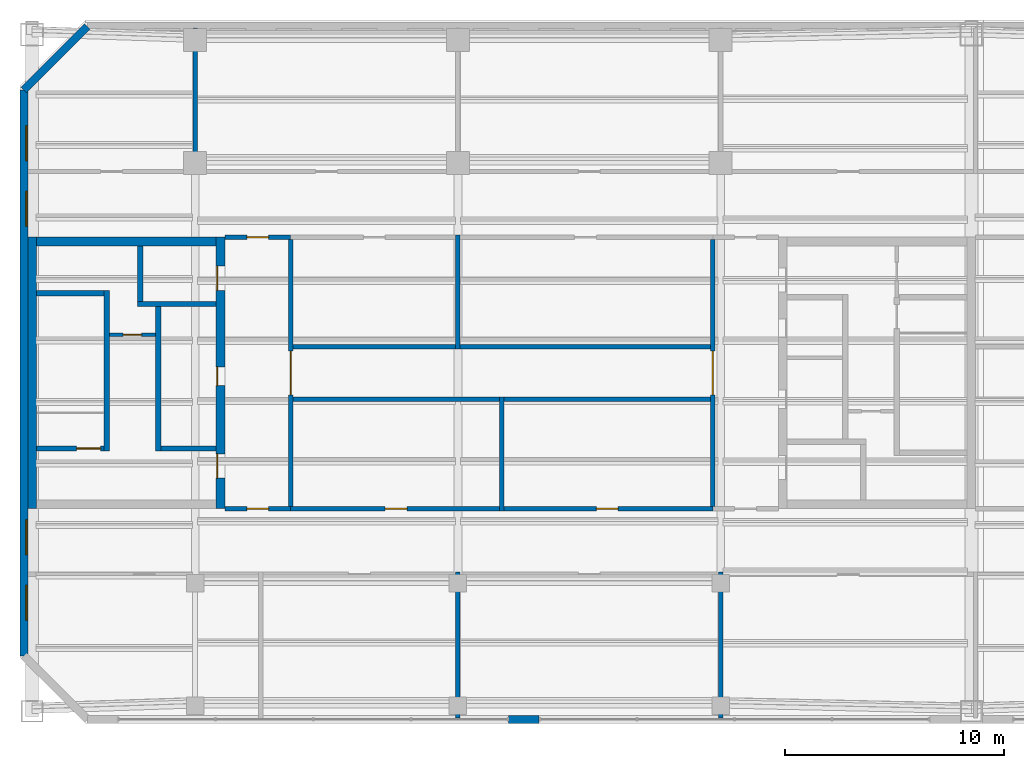
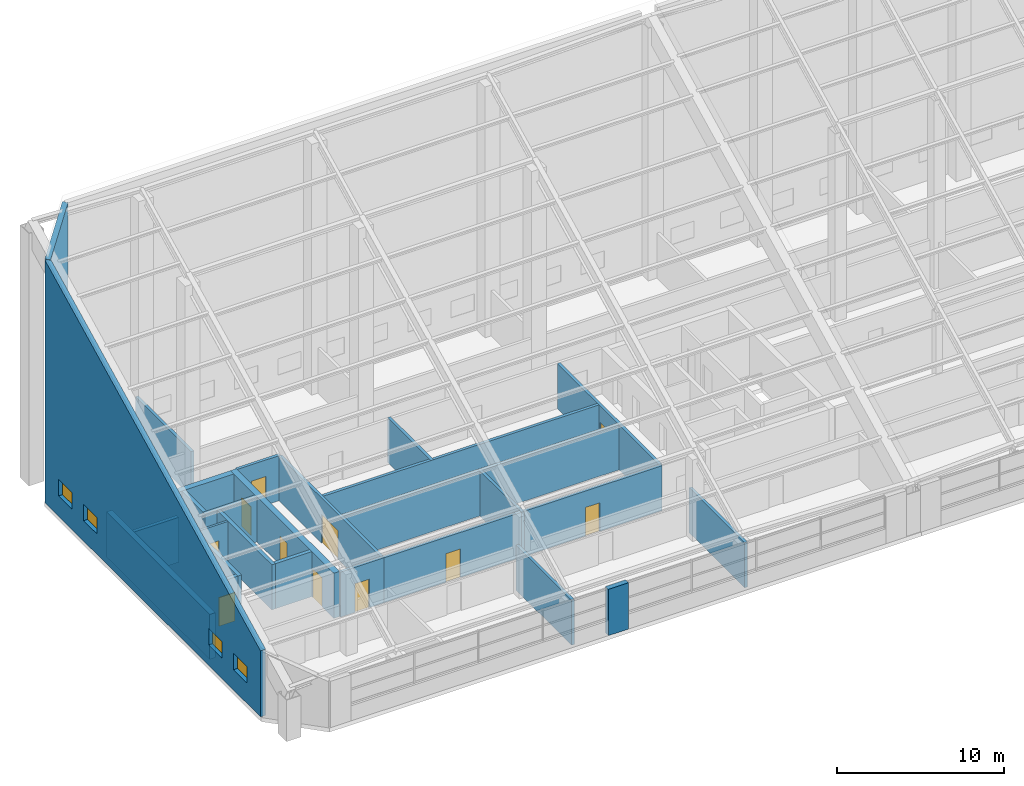
# One storey, part 19 of 28: 26 walls, 11 doors, 4 windows, 15 openings.
"""IFC4 building model written with IfcOpenShell, lengths in metres."""

from ifc_helpers import new_model, si_unit, direction, frame, frame_2d, origin, place, context, subcontext, project, spatial, polyline, rectangle, outline, extrude, material, layer, layer_set, type_object, element, fill, save


model = new_model("IFC4")

# Units and contexts
model_context = context("Model", 3, precision=1e-05, world=origin(), true_north=direction((0.0, 1.0)))
body_context = subcontext(model_context, "Body", "Model", "MODEL_VIEW")
ifc_project = project(units=[si_unit("LENGTHUNIT", "METRE"), si_unit("AREAUNIT", "SQUARE_METRE"), si_unit("VOLUMEUNIT", "CUBIC_METRE"), si_unit("PLANEANGLEUNIT", "RADIAN"), si_unit("MASSUNIT", "GRAM", prefix="KILO")], contexts=[model_context])

# Site, building, storey
site_placement = place(None, origin())
site = spatial("IfcSite", under=ifc_project, at=site_placement, CompositionType="ELEMENT")
building_placement = place(site_placement, origin())
building = spatial("IfcBuilding", under=site, at=building_placement, Name="Tuart Gate Housing", CompositionType="ELEMENT")
storey_placement = place(building_placement, frame((0.0, 0.0, 243.89990234375)))
storey = spatial("IfcBuildingStorey", under=building, at=storey_placement, Name="L68", CompositionType="ELEMENT", Elevation=243.89990234375)

# Walls
ifc_material_1 = material(Name="Brick", Category="masonry")
ifc_layer_1 = layer(ifc_material_1, 0.360107421875)
ifc_layer_set_1 = layer_set([ifc_layer_1], Name="Brick pier and spandrel wall 360")
wall_type_1 = type_object("IfcWallType", Name="Brick pier and spandrel wall 360", PredefinedType="STANDARD", material=ifc_layer_set_1)
wall_1_placement = place(storey_placement, frame((54.312255859375, 54.179931640625, 0.0), z_axis=(0.0, 0.0, 1.0), x_axis=(1.0, 0.0, 0.0)))
element("IfcWall", 1, at=wall_1_placement, inside=storey, type_object=wall_type_1, Name="Crown pier 2", PredefinedType="STANDARD", context=body_context, shape_type="SweptSolid", body=[
    extrude(rectangle(XDim=1.400146484375, YDim=0.360107421875, at=frame_2d((0.7001953125, 0.0))), origin(), (0.0, 0.0, 1.0), 3.39013671875),
])
wall_2_placement = place(storey_placement, frame((35.07470703125, 85.820068359375, 0.0), z_axis=(0.0, 0.0, 1.0), x_axis=(-0.707106781187, -0.707106781187, 0.0)))
element("IfcWall", 2, at=wall_2_placement, inside=storey, type_object=wall_type_1, Name="Crown cladding wall BLK-NW", PredefinedType="STANDARD", context=body_context, shape_type="SweptSolid", body=[
    extrude(outline(polyline([(0.0, 0.0), (4.09375, 0.0), (4.093505859375, 17.7626953125), (0.0, 19.210205078125), (0.0, 0.0)])), frame((0.0, 0.18017578125, 0.0), z_axis=(0.0, -1.0, 0.0), x_axis=(1.0, 0.0, 0.0)), (0.0, 0.0, 1.0), 0.360107421875),
])

# Wall, openings, windows
wall_3_placement = place(storey_placement, frame((32.179931640625, 82.92529296875, 0.0), z_axis=(0.0, 0.0, 1.0), x_axis=(0.0, -1.0, 0.0)))
wall_3 = element("IfcWall", 3, at=wall_3_placement, inside=storey, type_object=wall_type_1, Name="Crown cladding wall BLK-W", PredefinedType="STANDARD", context=body_context, shape_type="SweptSolid", body=[
    extrude(outline(polyline([(0.0, 0.0), (25.850830078125, 0.0), (25.850830078125, 4.83740234375), (0.0, 17.7626953125), (0.0, 0.0)])), frame((0.0, 0.18017578125, 0.0), z_axis=(0.0, -1.0, 0.0), x_axis=(1.0, 0.0, 0.0)), (0.0, 0.0, 1.0), 0.360107421875),
])
opening_1_placement = place(wall_3_placement, frame((22.62548828125, 0.0, 1.5)))
opening_1 = element("IfcOpeningElement", 4, at=opening_1_placement, cuts=wall_3, Name="Opening W3", PredefinedType="OPENING", context=body_context, shape_type="SweptSolid", body=[
    extrude(rectangle(XDim=1.60009765625, YDim=1.199951171875, at=frame_2d((0.800048828125, 0.60009765625))), frame((0.0, 0.18994140625, 0.0), z_axis=(0.0, -1.0, 0.0), x_axis=(1.0, 0.0, 0.0)), (0.0, 0.0, 1.0), 0.380126953125),
])
opening_2_placement = place(wall_3_placement, frame((19.62548828125, 0.0, 1.5)))
opening_2 = element("IfcOpeningElement", 5, at=opening_2_placement, cuts=wall_3, Name="Opening W3", PredefinedType="OPENING", context=body_context, shape_type="SweptSolid", body=[
    extrude(rectangle(XDim=1.60009765625, YDim=1.199951171875, at=frame_2d((0.800048828125, 0.60009765625))), frame((0.0, 0.18994140625, 0.0), z_axis=(0.0, -1.0, 0.0), x_axis=(1.0, 0.0, 0.0)), (0.0, 0.0, 1.0), 0.380126953125),
])
opening_3_placement = place(wall_3_placement, frame((4.62548828125, 0.0, 1.5)))
opening_3 = element("IfcOpeningElement", 6, at=opening_3_placement, cuts=wall_3, Name="Opening W3", PredefinedType="OPENING", context=body_context, shape_type="SweptSolid", body=[
    extrude(rectangle(XDim=1.60009765625, YDim=1.199951171875, at=frame_2d((0.800048828125, 0.60009765625))), frame((0.0, 0.18994140625, 0.0), z_axis=(0.0, -1.0, 0.0), x_axis=(1.0, 0.0, 0.0)), (0.0, 0.0, 1.0), 0.380126953125),
])
opening_4_placement = place(wall_3_placement, frame((1.62548828125, 0.0, 1.5)))
opening_4 = element("IfcOpeningElement", 7, at=opening_4_placement, cuts=wall_3, Name="Opening W3", PredefinedType="OPENING", context=body_context, shape_type="SweptSolid", body=[
    extrude(rectangle(XDim=1.60009765625, YDim=1.199951171875, at=frame_2d((0.800048828125, 0.60009765625))), frame((0.0, 0.18994140625, 0.0), z_axis=(0.0, -1.0, 0.0), x_axis=(1.0, 0.0, 0.0)), (0.0, 0.0, 1.0), 0.380126953125),
])
ifc_material_2 = material(Name="Aluminium louvre blades", Category="aluminium")
window_type = type_object("IfcWindowType", Name="Louvre window 1600 x 1200", PartitioningType="DOUBLE_PANEL_HORIZONTAL", PredefinedType="WINDOW", material=ifc_material_2)
window_1_placement = place(opening_1_placement, origin())
window_1 = element("IfcWindow", 8, at=window_1_placement, inside=storey, type_object=window_type, Name="Louvre W3", OverallHeight=1.199951171875, OverallWidth=1.60009765625, PartitioningType="DOUBLE_PANEL_HORIZONTAL", PredefinedType="WINDOW", context=body_context, shape_type="SweptSolid", body=[
    extrude(rectangle(XDim=1.60009765625, YDim=1.199951171875, at=frame_2d((0.800048828125, 0.60009765625))), frame((0.0, 0.150146484375, 0.0), z_axis=(0.0, -1.0, 0.0), x_axis=(1.0, 0.0, 0.0)), (0.0, 0.0, 1.0), 0.06005859375),
])
fill(opening_1, window_1)
window_2_placement = place(opening_2_placement, origin())
window_2 = element("IfcWindow", 9, at=window_2_placement, inside=storey, type_object=window_type, Name="Louvre W3", OverallHeight=1.199951171875, OverallWidth=1.60009765625, PartitioningType="DOUBLE_PANEL_HORIZONTAL", PredefinedType="WINDOW", context=body_context, shape_type="SweptSolid", body=[
    extrude(rectangle(XDim=1.60009765625, YDim=1.199951171875, at=frame_2d((0.800048828125, 0.60009765625))), frame((0.0, 0.150146484375, 0.0), z_axis=(0.0, -1.0, 0.0), x_axis=(1.0, 0.0, 0.0)), (0.0, 0.0, 1.0), 0.06005859375),
])
fill(opening_2, window_2)
window_3_placement = place(opening_3_placement, origin())
window_3 = element("IfcWindow", 10, at=window_3_placement, inside=storey, type_object=window_type, Name="Louvre W3", OverallHeight=1.199951171875, OverallWidth=1.60009765625, PartitioningType="DOUBLE_PANEL_HORIZONTAL", PredefinedType="WINDOW", context=body_context, shape_type="SweptSolid", body=[
    extrude(rectangle(XDim=1.60009765625, YDim=1.199951171875, at=frame_2d((0.800048828125, 0.60009765625))), frame((0.0, 0.150146484375, 0.0), z_axis=(0.0, -1.0, 0.0), x_axis=(1.0, 0.0, 0.0)), (0.0, 0.0, 1.0), 0.06005859375),
])
fill(opening_3, window_3)
window_4_placement = place(opening_4_placement, origin())
window_4 = element("IfcWindow", 11, at=window_4_placement, inside=storey, type_object=window_type, Name="Louvre W3", OverallHeight=1.199951171875, OverallWidth=1.60009765625, PartitioningType="DOUBLE_PANEL_HORIZONTAL", PredefinedType="WINDOW", context=body_context, shape_type="SweptSolid", body=[
    extrude(rectangle(XDim=1.60009765625, YDim=1.199951171875, at=frame_2d((0.800048828125, 0.60009765625))), frame((0.0, 0.150146484375, 0.0), z_axis=(0.0, -1.0, 0.0), x_axis=(1.0, 0.0, 0.0)), (0.0, 0.0, 1.0), 0.06005859375),
])
fill(opening_4, window_4)

# Wall, opening, door
ifc_material_3 = material(Name="Plasterboard partition")
ifc_layer_2 = layer(ifc_material_3, 0.14990234375)
ifc_layer_set_2 = layer_set([ifc_layer_2], Name="Core partition 150")
wall_type_2 = type_object("IfcWallType", Name="Core partition 150", PredefinedType="PARTITIONING", material=ifc_layer_set_2)
wall_4_placement = place(storey_placement, frame((38.18505859375, 71.75, 0.0), z_axis=(0.0, 0.0, 1.0), x_axis=(-1.0, 0.0, 0.0)))
wall_4 = element("IfcWall", 12, at=wall_4_placement, inside=storey, type_object=wall_type_2, Name="Core partition AK.3", PredefinedType="PARTITIONING", context=body_context, shape_type="SweptSolid", body=[
    extrude(rectangle(XDim=2.10009765625, YDim=0.14990234375, at=frame_2d((1.050048828125, 0.0))), origin(), (0.0, 0.0, 1.0), 3.300048828125),
])
opening_5_placement = place(wall_4_placement, frame((0.625, 0.0, 0.0)))
opening_5 = element("IfcOpeningElement", 13, at=opening_5_placement, cuts=wall_4, Name="Opening D3250", PredefinedType="OPENING", context=body_context, shape_type="SweptSolid", body=[
    extrude(rectangle(XDim=0.85009765625, YDim=2.10009765625, at=frame_2d((0.425048828125, 1.050048828125))), frame((0.0, 0.0849609375, 0.0), z_axis=(0.0, -1.0, 0.0), x_axis=(1.0, 0.0, 0.0)), (0.0, 0.0, 1.0), 0.169921875),
])
ifc_material_4 = material(Name="Steel fire door", Category="steel")
door_type_1 = type_object("IfcDoorType", Name="Riser door 850 x 2100 RH", OperationType="SINGLE_SWING_RIGHT", PredefinedType="DOOR", material=ifc_material_4)
door_1_placement = place(opening_5_placement, frame((0.85009765625, 0.0, 0.0), z_axis=(0.0, 0.0, 1.0), x_axis=(-1.0, 0.0, 0.0)))
door_1 = element("IfcDoor", 14, at=door_1_placement, inside=storey, type_object=door_type_1, Name="Service room door AK.E1", OperationType="SINGLE_SWING_RIGHT", OverallHeight=2.10009765625, OverallWidth=0.85009765625, PredefinedType="DOOR", context=body_context, shape_type="SweptSolid", body=[
    extrude(rectangle(XDim=0.85009765625, YDim=2.10009765625, at=frame_2d((0.425048828125, 1.050048828125))), frame((0.0, 0.025146484375, 0.0), z_axis=(0.0, -1.0, 0.0), x_axis=(1.0, 0.0, 0.0)), (0.0, 0.0, 1.0), 0.050048828125),
])
fill(opening_5, door_1)

# Walls
ifc_material_5 = material(Name="Concrete C40", Category="concrete")
ifc_layer_3 = layer(ifc_material_5, 0.25)
ifc_layer_set_3 = layer_set([ifc_layer_3], Name="Core wall 250 C40")
wall_type_3 = type_object("IfcWallType", Name="Core wall 250 C40", PredefinedType="SHEAR", material=ifc_layer_set_3)
wall_5_placement = place(storey_placement, frame((35.8349609375, 73.64990234375, 0.0), z_axis=(0.0, 0.0, 1.0), x_axis=(-1.0, 0.0, 0.0)))
element("IfcWall", 15, at=wall_5_placement, inside=storey, type_object=wall_type_3, Name="Core wall AK.1", PredefinedType="SHEAR", context=body_context, shape_type="SweptSolid", body=[
    extrude(rectangle(XDim=3.074951171875, YDim=0.25, at=frame_2d((1.53759765625, 0.0))), origin(), (0.0, 0.0, 1.0), 3.300048828125),
])
wall_6_placement = place(storey_placement, frame((40.9599609375, 73.14990234375, 0.0), z_axis=(0.0, 0.0, 1.0), x_axis=(-1.0, 0.0, 0.0)))
element("IfcWall", 16, at=wall_6_placement, inside=storey, type_object=wall_type_3, Name="Core wall AK.2", PredefinedType="SHEAR", context=body_context, shape_type="SweptSolid", body=[
    extrude(rectangle(XDim=3.594970703125, YDim=0.25, at=frame_2d((1.79736328125, 0.0))), origin(), (0.0, 0.0, 1.0), 3.300048828125),
])
wall_7_placement = place(storey_placement, frame((40.9599609375, 66.550048828125, 0.0), z_axis=(0.0, 0.0, 1.0), x_axis=(-1.0, 0.0, 0.0)))
element("IfcWall", 17, at=wall_7_placement, inside=storey, type_object=wall_type_3, Name="Core wall AK.4", PredefinedType="SHEAR", context=body_context, shape_type="SweptSolid", body=[
    extrude(rectangle(XDim=2.52490234375, YDim=0.25, at=frame_2d((1.262451171875, 0.0))), origin(), (0.0, 0.0, 1.0), 3.300048828125),
])

# Wall, opening, door
wall_8_placement = place(storey_placement, frame((35.8349609375, 66.550048828125, 0.0), z_axis=(0.0, 0.0, 1.0), x_axis=(-1.0, 0.0, 0.0)))
wall_8 = element("IfcWall", 18, at=wall_8_placement, inside=storey, type_object=wall_type_3, Name="Core wall AK.5", PredefinedType="SHEAR", context=body_context, shape_type="SweptSolid", body=[
    extrude(rectangle(XDim=3.074951171875, YDim=0.25, at=frame_2d((1.53759765625, 0.0))), origin(), (0.0, 0.0, 1.0), 3.300048828125),
])
opening_6_placement = place(wall_8_placement, frame((0.14990234375, 0.0, 0.0)))
opening_6 = element("IfcOpeningElement", 19, at=opening_6_placement, cuts=wall_8, Name="Opening D3260", PredefinedType="OPENING", context=body_context, shape_type="SweptSolid", body=[
    extrude(rectangle(XDim=1.10009765625, YDim=2.10009765625, at=frame_2d((0.550048828125, 1.050048828125))), frame((0.0, 0.135009765625, 0.0), z_axis=(0.0, -1.0, 0.0), x_axis=(1.0, 0.0, 0.0)), (0.0, 0.0, 1.0), 0.27001953125),
])
ifc_material_6 = material(Name="Steel fire door", Category="steel")
door_type_2 = type_object("IfcDoorType", Name="Stair door 1100 x 2100 RH", OperationType="SINGLE_SWING_RIGHT", PredefinedType="DOOR", material=ifc_material_6)
door_2_placement = place(opening_6_placement, frame((1.10009765625, 0.0, 0.0), z_axis=(0.0, 0.0, 1.0), x_axis=(-1.0, 0.0, 0.0)))
door_2 = element("IfcDoor", 20, at=door_2_placement, inside=storey, type_object=door_type_2, Name="Stair door AK.SD", OperationType="SINGLE_SWING_RIGHT", OverallHeight=2.10009765625, OverallWidth=1.10009765625, PredefinedType="DOOR", context=body_context, shape_type="SweptSolid", body=[
    extrude(rectangle(XDim=1.10009765625, YDim=2.10009765625, at=frame_2d((0.550048828125, 1.050048828125))), frame((0.0, 0.025146484375, 0.0), z_axis=(0.0, -1.0, 0.0), x_axis=(1.0, 0.0, 0.0)), (0.0, 0.0, 1.0), 0.050048828125),
])
fill(opening_6, door_2)

# Walls
wall_9_placement = place(storey_placement, frame((38.31005859375, 73.02490234375, 0.0), z_axis=(0.0, 0.0, 1.0), x_axis=(0.0, -1.0, 0.0)))
element("IfcWall", 21, at=wall_9_placement, inside=storey, type_object=wall_type_3, Name="Core wall AK.6", PredefinedType="SHEAR", context=body_context, shape_type="SweptSolid", body=[
    extrude(rectangle(XDim=6.599853515625, YDim=0.25, at=frame_2d((3.2998046875, 0.0))), origin(), (0.0, 0.0, 1.0), 3.300048828125),
])
wall_10_placement = place(storey_placement, frame((37.489990234375, 75.800048828125, 0.0), z_axis=(0.0, 0.0, 1.0), x_axis=(0.0, -1.0, 0.0)))
element("IfcWall", 22, at=wall_10_placement, inside=storey, type_object=wall_type_3, Name="Core wall AK.7", PredefinedType="SHEAR", context=body_context, shape_type="SweptSolid", body=[
    extrude(rectangle(XDim=2.525146484375, YDim=0.25, at=frame_2d((1.2626953125, 0.0))), origin(), (0.0, 0.0, 1.0), 3.300048828125),
])
wall_11_placement = place(storey_placement, frame((35.9599609375, 73.77490234375, 0.0), z_axis=(0.0, 0.0, 1.0), x_axis=(0.0, -1.0, 0.0)))
element("IfcWall", 23, at=wall_11_placement, inside=storey, type_object=wall_type_3, Name="Core wall AK.8", PredefinedType="SHEAR", context=body_context, shape_type="SweptSolid", body=[
    extrude(rectangle(XDim=7.349853515625, YDim=0.25, at=frame_2d((3.6748046875, 0.0))), origin(), (0.0, 0.0, 1.0), 3.300048828125),
])

# Wall, openings, doors
ifc_material_7 = material(Name="Concrete C40", Category="concrete")
ifc_layer_4 = layer(ifc_material_7, 0.39990234375)
ifc_layer_set_4 = layer_set([ifc_layer_4], Name="Core wall 400 C40")
wall_type_4 = type_object("IfcWallType", Name="Core wall 400 C40", PredefinedType="SHEAR", material=ifc_layer_set_4)
wall_12_placement = place(storey_placement, frame((41.159912109375, 76.199951171875, 0.0), z_axis=(0.0, 0.0, 1.0), x_axis=(0.0, -1.0, 0.0)))
wall_12 = element("IfcWall", 24, at=wall_12_placement, inside=storey, type_object=wall_type_4, Name="Core wall AK front", PredefinedType="SHEAR", context=body_context, shape_type="SweptSolid", body=[
    extrude(rectangle(XDim=12.39990234375, YDim=0.39990234375, at=frame_2d((6.199951171875, 0.0))), origin(), (0.0, 0.0, 1.0), 3.300048828125),
])
opening_7_placement = place(wall_12_placement, frame((1.324951171875, 0.0, 0.0)))
opening_7 = element("IfcOpeningElement", 25, at=opening_7_placement, cuts=wall_12, Name="Opening LD-FA2", PredefinedType="OPENING", context=body_context, shape_type="SweptSolid", body=[
    extrude(rectangle(XDim=1.10009765625, YDim=2.10009765625, at=frame_2d((0.550048828125, 1.050048828125))), frame((0.0, 0.2099609375, 0.0), z_axis=(0.0, -1.0, 0.0), x_axis=(1.0, 0.0, 0.0)), (0.0, 0.0, 1.0), 0.419921875),
])
opening_8_placement = place(wall_12_placement, frame((5.925048828125, 0.0, 0.0)))
opening_8 = element("IfcOpeningElement", 26, at=opening_8_placement, cuts=wall_12, Name="Opening D3252", PredefinedType="OPENING", context=body_context, shape_type="SweptSolid", body=[
    extrude(rectangle(XDim=0.85009765625, YDim=2.10009765625, at=frame_2d((0.425048828125, 1.050048828125))), frame((0.0, 0.2099609375, 0.0), z_axis=(0.0, -1.0, 0.0), x_axis=(1.0, 0.0, 0.0)), (0.0, 0.0, 1.0), 0.419921875),
])
opening_9_placement = place(wall_12_placement, frame((9.89990234375, 0.0, 0.0)))
opening_9 = element("IfcOpeningElement", 27, at=opening_9_placement, cuts=wall_12, Name="Opening D3251", PredefinedType="OPENING", context=body_context, shape_type="SweptSolid", body=[
    extrude(rectangle(XDim=1.10009765625, YDim=2.10009765625, at=frame_2d((0.550048828125, 1.050048828125))), frame((0.0, 0.2099609375, 0.0), z_axis=(0.0, -1.0, 0.0), x_axis=(1.0, 0.0, 0.0)), (0.0, 0.0, 1.0), 0.419921875),
])
ifc_material_8 = material(Name="Stainless steel", Category="steel")
door_type_3 = type_object("IfcDoorType", Name="Landing door 1100 x 2100", OperationType="DOUBLE_DOOR_SLIDING", PredefinedType="DOOR", material=ifc_material_8)
door_3_placement = place(opening_7_placement, origin())
door_3 = element("IfcDoor", 28, at=door_3_placement, inside=storey, type_object=door_type_3, Name="Lift landing door FA2", OperationType="DOUBLE_DOOR_SLIDING", OverallHeight=2.10009765625, OverallWidth=1.10009765625, PredefinedType="DOOR", context=body_context, shape_type="SweptSolid", body=[
    extrude(rectangle(XDim=1.10009765625, YDim=2.10009765625, at=frame_2d((0.550048828125, 1.050048828125))), frame((0.0, -0.134765625, 0.0), z_axis=(0.0, -1.0, 0.0), x_axis=(1.0, 0.0, 0.0)), (0.0, 0.0, 1.0), 0.050048828125),
])
fill(opening_7, door_3)
ifc_material_9 = material(Name="Steel fire door", Category="steel")
door_type_4 = type_object("IfcDoorType", Name="Lobby door 1100 x 2100 RH", OperationType="SINGLE_SWING_RIGHT", PredefinedType="DOOR", material=ifc_material_9)
door_4_placement = place(opening_9_placement, frame((1.10009765625, 0.0, 0.0), z_axis=(0.0, 0.0, 1.0), x_axis=(-1.0, 0.0, 0.0)))
door_4 = element("IfcDoor", 29, at=door_4_placement, inside=storey, type_object=door_type_4, Name="Lobby entry door AK.EN", OperationType="SINGLE_SWING_RIGHT", OverallHeight=2.10009765625, OverallWidth=1.10009765625, PredefinedType="DOOR", context=body_context, shape_type="SweptSolid", body=[
    extrude(rectangle(XDim=1.10009765625, YDim=2.10009765625, at=frame_2d((0.550048828125, 1.050048828125))), frame((0.0, 0.184814453125, 0.0), z_axis=(0.0, -1.0, 0.0), x_axis=(1.0, 0.0, 0.0)), (0.0, 0.0, 1.0), 0.050048828125),
])
fill(opening_9, door_4)
ifc_material_10 = material(Name="Steel fire door", Category="steel")
door_type_5 = type_object("IfcDoorType", Name="Service door 850 x 2100 RH", OperationType="SINGLE_SWING_RIGHT", PredefinedType="DOOR", material=ifc_material_10)
door_5_placement = place(opening_8_placement, frame((0.85009765625, 0.0, 0.0), z_axis=(0.0, 0.0, 1.0), x_axis=(-1.0, 0.0, 0.0)))
door_5 = element("IfcDoor", 30, at=door_5_placement, inside=storey, type_object=door_type_5, Name="Service room door AK.FR1", OperationType="SINGLE_SWING_RIGHT", OverallHeight=2.10009765625, OverallWidth=0.85009765625, PredefinedType="DOOR", context=body_context, shape_type="SweptSolid", body=[
    extrude(rectangle(XDim=0.85009765625, YDim=2.10009765625, at=frame_2d((0.425048828125, 1.050048828125))), frame((0.0, 0.184814453125, 0.0), z_axis=(0.0, -1.0, 0.0), x_axis=(1.0, 0.0, 0.0)), (0.0, 0.0, 1.0), 0.050048828125),
])
fill(opening_8, door_5)

# Walls
wall_13_placement = place(storey_placement, frame((32.56005859375, 76.199951171875, 0.0), z_axis=(0.0, 0.0, 1.0), x_axis=(0.0, -1.0, 0.0)))
element("IfcWall", 31, at=wall_13_placement, inside=storey, type_object=wall_type_4, Name="Core wall AK back", PredefinedType="SHEAR", context=body_context, shape_type="SweptSolid", body=[
    extrude(rectangle(XDim=12.39990234375, YDim=0.39990234375, at=frame_2d((6.199951171875, 0.0))), origin(), (0.0, 0.0, 1.0), 3.300048828125),
])
wall_14_placement = place(storey_placement, frame((40.9599609375, 76.0, 0.0), z_axis=(0.0, 0.0, 1.0), x_axis=(-1.0, 0.0, 0.0)))
element("IfcWall", 32, at=wall_14_placement, inside=storey, type_object=wall_type_4, Name="Core wall AK south", PredefinedType="SHEAR", context=body_context, shape_type="SweptSolid", body=[
    extrude(rectangle(XDim=8.199951171875, YDim=0.39990234375, at=frame_2d((4.10009765625, 0.0))), origin(), (0.0, 0.0, 1.0), 3.300048828125),
])

# Wall, openings, doors
ifc_material_11 = material(Name="Concrete masonry 15 MPa", Category="masonry")
ifc_layer_5 = layer(ifc_material_11, 0.199951171875)
ifc_layer_set_5 = layer_set([ifc_layer_5], Name="Enclosure wall masonry 200")
wall_type_5 = type_object("IfcWallType", Name="Enclosure wall masonry 200", PredefinedType="PARTITIONING", material=ifc_layer_set_5)
wall_15_placement = place(storey_placement, frame((44.360107421875, 63.800048828125, 0.0), z_axis=(0.0, 0.0, 1.0), x_axis=(1.0, 0.0, 0.0)))
wall_15 = element("IfcWall", 33, at=wall_15_placement, inside=storey, type_object=wall_type_5, Name="Enclosure wall masonry 200", PredefinedType="PARTITIONING", context=body_context, shape_type="SweptSolid", body=[
    extrude(rectangle(XDim=19.27978515625, YDim=0.199951171875, at=frame_2d((9.639892578125, 0.0))), origin(), (0.0, 0.0, 1.0), 3.300048828125),
])
opening_10_placement = place(wall_15_placement, frame((4.320068359375, 0.0, 0.0)))
opening_10 = element("IfcOpeningElement", 34, at=opening_10_placement, cuts=wall_15, Name="Opening D3262", PredefinedType="OPENING", context=body_context, shape_type="SweptSolid", body=[
    extrude(rectangle(XDim=1.0, YDim=2.10009765625, at=frame_2d((0.5, 1.050048828125))), frame((0.0, 0.10986328125, 0.0), z_axis=(0.0, -1.0, 0.0), x_axis=(1.0, 0.0, 0.0)), (0.0, 0.0, 1.0), 0.219970703125),
])
opening_11_placement = place(wall_15_placement, frame((13.9599609375, 0.0, 0.0)))
opening_11 = element("IfcOpeningElement", 35, at=opening_11_placement, cuts=wall_15, Name="Opening D3263", PredefinedType="OPENING", context=body_context, shape_type="SweptSolid", body=[
    extrude(rectangle(XDim=1.0, YDim=2.10009765625, at=frame_2d((0.5, 1.050048828125))), frame((0.0, 0.10986328125, 0.0), z_axis=(0.0, -1.0, 0.0), x_axis=(1.0, 0.0, 0.0)), (0.0, 0.0, 1.0), 0.219970703125),
])
ifc_material_12 = material(Name="Timber door leaf in steel frame", Category="steel")
door_type_6 = type_object("IfcDoorType", Name="Fire door 1000", OperationType="SINGLE_SWING_LEFT", PredefinedType="DOOR", material=ifc_material_12)
door_6_placement = place(opening_10_placement, origin())
door_6 = element("IfcDoor", 36, at=door_6_placement, inside=storey, type_object=door_type_6, Name="Fire door 1000", OperationType="SINGLE_SWING_LEFT", OverallHeight=2.10009765625, OverallWidth=1.0, PredefinedType="DOOR", context=body_context, shape_type="SweptSolid", body=[
    extrude(rectangle(XDim=1.0, YDim=2.10009765625, at=frame_2d((0.5, 1.050048828125))), frame((0.0, 0.02490234375, 0.0), z_axis=(0.0, -1.0, 0.0), x_axis=(1.0, 0.0, 0.0)), (0.0, 0.0, 1.0), 0.050048828125),
])
fill(opening_10, door_6)
door_7_placement = place(opening_11_placement, origin())
door_7 = element("IfcDoor", 37, at=door_7_placement, inside=storey, type_object=door_type_6, Name="Fire door 1000", OperationType="SINGLE_SWING_LEFT", OverallHeight=2.10009765625, OverallWidth=1.0, PredefinedType="DOOR", context=body_context, shape_type="SweptSolid", body=[
    extrude(rectangle(XDim=1.0, YDim=2.10009765625, at=frame_2d((0.5, 1.050048828125))), frame((0.0, 0.02490234375, 0.0), z_axis=(0.0, -1.0, 0.0), x_axis=(1.0, 0.0, 0.0)), (0.0, 0.0, 1.0), 0.050048828125),
])
fill(opening_11, door_7)

# Wall, opening, door
wall_16_placement = place(storey_placement, frame((41.360107421875, 63.800048828125, 0.0), z_axis=(0.0, 0.0, 1.0), x_axis=(1.0, 0.0, 0.0)))
wall_16 = element("IfcWall", 38, at=wall_16_placement, inside=storey, type_object=wall_type_5, Name="Enclosure wall masonry 200", PredefinedType="PARTITIONING", context=body_context, shape_type="SweptSolid", body=[
    extrude(rectangle(XDim=3.0, YDim=0.199951171875, at=frame_2d((1.5, 0.0))), origin(), (0.0, 0.0, 1.0), 3.300048828125),
])
opening_12_placement = place(wall_16_placement, frame((1.0, 0.0, 0.0)))
opening_12 = element("IfcOpeningElement", 39, at=opening_12_placement, cuts=wall_16, Name="Opening D3261", PredefinedType="OPENING", context=body_context, shape_type="SweptSolid", body=[
    extrude(rectangle(XDim=1.0, YDim=2.10009765625, at=frame_2d((0.5, 1.050048828125))), frame((0.0, 0.10986328125, 0.0), z_axis=(0.0, -1.0, 0.0), x_axis=(1.0, 0.0, 0.0)), (0.0, 0.0, 1.0), 0.219970703125),
])
ifc_material_13 = material(Name="Timber door leaf in steel frame", Category="steel")
door_type_7 = type_object("IfcDoorType", Name="Lobby door 1000 RH", OperationType="SINGLE_SWING_RIGHT", PredefinedType="DOOR", material=ifc_material_13)
door_8_placement = place(opening_12_placement, origin())
door_8 = element("IfcDoor", 40, at=door_8_placement, inside=storey, type_object=door_type_7, Name="Lobby door 1000", OperationType="SINGLE_SWING_RIGHT", OverallHeight=2.10009765625, OverallWidth=1.0, PredefinedType="DOOR", context=body_context, shape_type="SweptSolid", body=[
    extrude(rectangle(XDim=1.0, YDim=2.10009765625, at=frame_2d((0.5, 1.050048828125))), frame((0.0, 0.02490234375, 0.0), z_axis=(0.0, -1.0, 0.0), x_axis=(1.0, 0.0, 0.0)), (0.0, 0.0, 1.0), 0.050048828125),
])
fill(opening_12, door_8)

# Walls
for number, where, z_axis, x_axis, name in (
    (41, (44.360107421875, 68.800048828125, 0.0), (0.0, 0.0, 1.0), (1.0, 0.0, 0.0), "Enclosure wall masonry 200"),
    (42, (44.360107421875, 71.199951171875, 0.0), (0.0, 0.0, 1.0), (1.0, 0.0, 0.0), "Enclosure wall masonry 200"),
):
    element("IfcWall", number, at=place(storey_placement, frame(where, z_axis=z_axis, x_axis=x_axis)), inside=storey, type_object=wall_type_5, Name=name, PredefinedType="PARTITIONING", context=body_context, shape_type="SweptSolid", body=[
        extrude(rectangle(XDim=19.27978515625, YDim=0.199951171875, at=frame_2d((9.639892578125, 0.0))), origin(), (0.0, 0.0, 1.0), 3.300048828125),
    ])

# Wall, opening, door
wall_17_placement = place(storey_placement, frame((41.360107421875, 76.199951171875, 0.0), z_axis=(0.0, 0.0, 1.0), x_axis=(1.0, 0.0, 0.0)))
wall_17 = element("IfcWall", 43, at=wall_17_placement, inside=storey, type_object=wall_type_5, Name="Enclosure wall masonry 200", PredefinedType="PARTITIONING", context=body_context, shape_type="SweptSolid", body=[
    extrude(rectangle(XDim=3.0, YDim=0.199951171875, at=frame_2d((1.5, 0.0))), origin(), (0.0, 0.0, 1.0), 3.300048828125),
])
opening_13_placement = place(wall_17_placement, frame((1.0, 0.0, 0.0)))
opening_13 = element("IfcOpeningElement", 44, at=opening_13_placement, cuts=wall_17, Name="Opening D3245", PredefinedType="OPENING", context=body_context, shape_type="SweptSolid", body=[
    extrude(rectangle(XDim=1.0, YDim=2.10009765625, at=frame_2d((0.5, 1.050048828125))), frame((0.0, 0.10986328125, 0.0), z_axis=(0.0, -1.0, 0.0), x_axis=(1.0, 0.0, 0.0)), (0.0, 0.0, 1.0), 0.219970703125),
])
ifc_material_14 = material(Name="Timber door leaf in steel frame", Category="steel")
door_type_8 = type_object("IfcDoorType", Name="Lobby door 1000", OperationType="SINGLE_SWING_LEFT", PredefinedType="DOOR", material=ifc_material_14)
door_9_placement = place(opening_13_placement, frame((1.0, 0.0, 0.0), z_axis=(0.0, 0.0, 1.0), x_axis=(-1.0, 0.0, 0.0)))
door_9 = element("IfcDoor", 45, at=door_9_placement, inside=storey, type_object=door_type_8, Name="Lobby door 1000", OperationType="SINGLE_SWING_LEFT", OverallHeight=2.10009765625, OverallWidth=1.0, PredefinedType="DOOR", context=body_context, shape_type="SweptSolid", body=[
    extrude(rectangle(XDim=1.0, YDim=2.10009765625, at=frame_2d((0.5, 1.050048828125))), frame((0.0, 0.025146484375, 0.0), z_axis=(0.0, -1.0, 0.0), x_axis=(1.0, 0.0, 0.0)), (0.0, 0.0, 1.0), 0.050048828125),
])
fill(opening_13, door_9)

# Walls
for number, where, z_axis, x_axis, name in (
    (46, (40.0, 79.10009765625, 0.0), (0.0, 0.0, 1.0), (0.0, 1.0, 0.0), "Enclosure wall masonry 200"),
    (47, (52.0, 54.239990234375, 0.0), (0.0, 0.0, 1.0), (0.0, 1.0, 0.0), "Enclosure wall masonry 200"),
):
    element("IfcWall", number, at=place(storey_placement, frame(where, z_axis=z_axis, x_axis=x_axis)), inside=storey, type_object=wall_type_5, Name=name, PredefinedType="PARTITIONING", context=body_context, shape_type="SweptSolid", body=[
        extrude(rectangle(XDim=6.659912109375, YDim=0.199951171875, at=frame_2d((3.330078125, 0.0))), origin(), (0.0, 0.0, 1.0), 3.300048828125),
    ])
for number, where, z_axis, x_axis, name in (
    (48, (52.0, 71.10009765625, 0.0), (0.0, 0.0, 1.0), (0.0, 1.0, 0.0), "Enclosure wall masonry 200"),
    (49, (54.0, 63.699951171875, 0.0), (0.0, 0.0, 1.0), (0.0, 1.0, 0.0), "Enclosure wall masonry 200"),
):
    element("IfcWall", number, at=place(storey_placement, frame(where, z_axis=z_axis, x_axis=x_axis)), inside=storey, type_object=wall_type_5, Name=name, PredefinedType="PARTITIONING", context=body_context, shape_type="SweptSolid", body=[
        extrude(rectangle(XDim=5.199951171875, YDim=0.199951171875, at=frame_2d((2.60009765625, 0.0))), origin(), (0.0, 0.0, 1.0), 3.300048828125),
    ])
wall_18_placement = place(storey_placement, frame((64.0, 54.239990234375, 0.0), z_axis=(0.0, 0.0, 1.0), x_axis=(0.0, 1.0, 0.0)))
element("IfcWall", 50, at=wall_18_placement, inside=storey, type_object=wall_type_5, Name="Enclosure wall masonry 200", PredefinedType="PARTITIONING", context=body_context, shape_type="SweptSolid", body=[
    extrude(rectangle(XDim=6.659912109375, YDim=0.199951171875, at=frame_2d((3.330078125, 0.0))), origin(), (0.0, 0.0, 1.0), 3.300048828125),
])

# Wall, opening, door
ifc_material_15 = material(Name="Plasterboard partition")
ifc_layer_6 = layer(ifc_material_15, 0.199951171875)
ifc_layer_set_6 = layer_set([ifc_layer_6], Name="Lobby wall 200")
wall_type_6 = type_object("IfcWallType", Name="Lobby wall 200", PredefinedType="PARTITIONING", material=ifc_layer_set_6)
wall_19_placement = place(storey_placement, frame((63.639892578125, 63.89990234375, 0.0), z_axis=(0.0, 0.0, 1.0), x_axis=(0.0, 1.0, 0.0)))
wall_19 = element("IfcWall", 51, at=wall_19_placement, inside=storey, type_object=wall_type_6, Name="Lift lobby wall AG", PredefinedType="PARTITIONING", context=body_context, shape_type="SweptSolid", body=[
    extrude(rectangle(XDim=12.2001953125, YDim=0.199951171875, at=frame_2d((6.10009765625, 0.0))), origin(), (0.0, 0.0, 1.0), 3.300048828125),
])
opening_14_placement = place(wall_19_placement, frame((5.10009765625, 0.0, 0.0)))
opening_14 = element("IfcOpeningElement", 52, at=opening_14_placement, cuts=wall_19, Name="Opening D3254", PredefinedType="OPENING", context=body_context, shape_type="SweptSolid", body=[
    extrude(rectangle(XDim=2.0, YDim=2.10009765625, at=frame_2d((1.0, 1.050048828125))), frame((0.0, 0.10986328125, 0.0), z_axis=(0.0, -1.0, 0.0), x_axis=(1.0, 0.0, 0.0)), (0.0, 0.0, 1.0), 0.219970703125),
])
ifc_material_16 = material(Name="Steel fire door", Category="steel")
door_type_9 = type_object("IfcDoorType", Name="Smoke door 2000 x 2100", OperationType="DOUBLE_DOOR_SINGLE_SWING", PredefinedType="DOOR", material=ifc_material_16)
door_10_placement = place(opening_14_placement, frame((2.0, 0.0, 0.0), z_axis=(0.0, 0.0, 1.0), x_axis=(-1.0, 0.0, 0.0)))
door_10 = element("IfcDoor", 53, at=door_10_placement, inside=storey, type_object=door_type_9, Name="Lift lobby smoke door AG", OperationType="DOUBLE_DOOR_SINGLE_SWING", OverallHeight=2.10009765625, OverallWidth=2.0, PredefinedType="DOOR", context=body_context, shape_type="SweptSolid", body=[
    extrude(rectangle(XDim=2.0, YDim=2.10009765625, at=frame_2d((1.0, 1.050048828125))), frame((0.0, 0.025146484375, 0.0), z_axis=(0.0, -1.0, 0.0), x_axis=(1.0, 0.0, 0.0)), (0.0, 0.0, 1.0), 0.050048828125),
])
fill(opening_14, door_10)

wall_20_placement = place(storey_placement, frame((44.360107421875, 63.89990234375, 0.0), z_axis=(0.0, 0.0, 1.0), x_axis=(0.0, 1.0, 0.0)))
wall_20 = element("IfcWall", 54, at=wall_20_placement, inside=storey, type_object=wall_type_6, Name="Lift lobby wall AK", PredefinedType="PARTITIONING", context=body_context, shape_type="SweptSolid", body=[
    extrude(rectangle(XDim=12.2001953125, YDim=0.199951171875, at=frame_2d((6.10009765625, 0.0))), origin(), (0.0, 0.0, 1.0), 3.300048828125),
])
opening_15_placement = place(wall_20_placement, frame((5.10009765625, 0.0, 0.0)))
opening_15 = element("IfcOpeningElement", 55, at=opening_15_placement, cuts=wall_20, Name="Opening D3253", PredefinedType="OPENING", context=body_context, shape_type="SweptSolid", body=[
    extrude(rectangle(XDim=2.0, YDim=2.10009765625, at=frame_2d((1.0, 1.050048828125))), frame((0.0, 0.10986328125, 0.0), z_axis=(0.0, -1.0, 0.0), x_axis=(1.0, 0.0, 0.0)), (0.0, 0.0, 1.0), 0.219970703125),
])
door_11_placement = place(opening_15_placement, origin())
door_11 = element("IfcDoor", 56, at=door_11_placement, inside=storey, type_object=door_type_9, Name="Lift lobby smoke door AK", OperationType="DOUBLE_DOOR_SINGLE_SWING", OverallHeight=2.10009765625, OverallWidth=2.0, PredefinedType="DOOR", context=body_context, shape_type="SweptSolid", body=[
    extrude(rectangle(XDim=2.0, YDim=2.10009765625, at=frame_2d((1.0, 1.050048828125))), frame((0.0, 0.02490234375, 0.0), z_axis=(0.0, -1.0, 0.0), x_axis=(1.0, 0.0, 0.0)), (0.0, 0.0, 1.0), 0.050048828125),
])
fill(opening_15, door_11)

save(model, "model.ifc")
